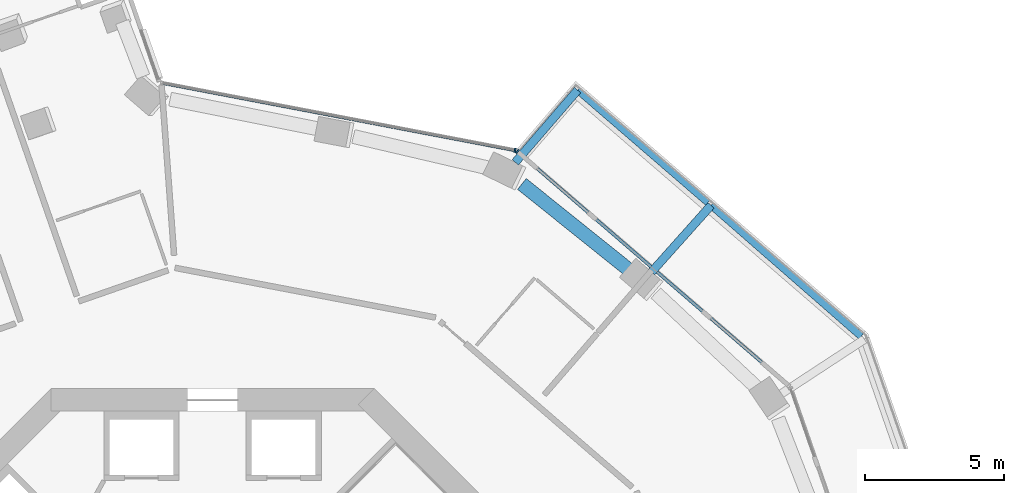
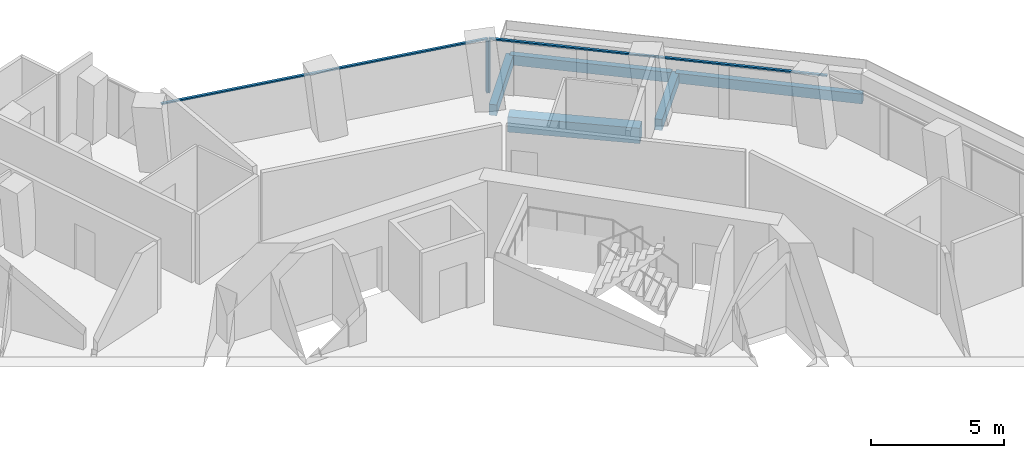
# One storey, part 10 of 23: 5 beams, 4 members, 2 elements without a shape of their own.
"""IFC4 building model written with IfcOpenShell, lengths in metres."""

from ifc_helpers import new_model, si_unit, direction, frame, origin, origin_2d, place, context, subcontext, project, spatial, rectangle, extrude, material, layer, layer_set, material_profile, profile_set, type_object, element, aggregate, save


model = new_model("IFC4")

# Units and contexts
model_context = context("Model", 3, precision=1e-05, world=origin(), true_north=direction((0.0, 1.0)))
body_context = subcontext(model_context, "Body", "Model", "MODEL_VIEW")
ifc_project = project(units=[si_unit("LENGTHUNIT", "METRE"), si_unit("AREAUNIT", "SQUARE_METRE"), si_unit("VOLUMEUNIT", "CUBIC_METRE"), si_unit("PLANEANGLEUNIT", "RADIAN"), si_unit("MASSUNIT", "GRAM", prefix="KILO")], contexts=[model_context])

# Site, building, storey
site_placement = place(None, origin())
site = spatial("IfcSite", under=ifc_project, at=site_placement, CompositionType="ELEMENT")
building_placement = place(site_placement, origin())
building = spatial("IfcBuilding", under=site, at=building_placement, Name="Verdalira Terraces Hotel", CompositionType="ELEMENT")
storey_placement = place(building_placement, frame((0.0, 0.0, 111.5)))
storey = spatial("IfcBuildingStorey", under=building, at=storey_placement, Name="L26", CompositionType="ELEMENT", Elevation=111.5)

# Beams
ifc_material_1 = material(Name="Concrete C40", Category="concrete")
ifc_material_profile_1 = material_profile(ifc_material_1, rectangle(XDim=0.300049, YDim=0.5, at=origin_2d()), Name="RC 300X500")
ifc_profile_set_1 = profile_set([ifc_material_profile_1], Name="Concrete C40")
beam_type_1 = type_object("IfcBeamType", Name="Balcony cantilever beam RC 300X500 C40", PredefinedType="BEAM", material=ifc_profile_set_1)
beam_1_placement = place(storey_placement, frame((15.746338, 18.189209, -0.560059), z_axis=(0.6660476, 0.74590924, 0.0), x_axis=(-0.74590924, 0.6660476, 0.0)))
element("IfcBeam", 1, at=beam_1_placement, inside=storey, type_object=beam_type_1, Name="Balcony cantilever beam R39-4", PredefinedType="BEAM", context=body_context, shape_type="SweptSolid", body=[
    extrude(rectangle(XDim=0.300049, YDim=0.5, at=origin_2d()), origin(), (0.0, 0.0, 1.0), 3.200684),
])
beam_2_placement = place(storey_placement, frame((10.857422, 22.119873, -0.560059), z_axis=(0.653445115, 0.756973898, 0.0), x_axis=(-0.756973898, 0.653445115, 0.0)))
element("IfcBeam", 2, at=beam_2_placement, inside=storey, type_object=beam_type_1, Name="Balcony cantilever beam R39-5", PredefinedType="BEAM", context=body_context, shape_type="SweptSolid", body=[
    extrude(rectangle(XDim=0.300049, YDim=0.5, at=origin_2d()), origin(), (0.0, 0.0, 1.0), 3.419434),
])
ifc_material_2 = material(Name="Concrete C40", Category="concrete")
ifc_material_profile_2 = material_profile(ifc_material_2, rectangle(XDim=0.25, YDim=0.449951, at=origin_2d()), Name="RC 250X450")
ifc_profile_set_2 = profile_set([ifc_material_profile_2], Name="Concrete C40")
beam_type_2 = type_object("IfcBeamType", Name="Balcony edge beam RC 250X450 C40", PredefinedType="BEAM", material=ifc_profile_set_2)
beam_3_placement = place(storey_placement, frame((23.260254, 15.875, -0.534912), z_axis=(-0.753107628, 0.657897333, 0.0), x_axis=(-0.657897333, -0.753107628, 0.0)))
element("IfcBeam", 3, at=beam_3_placement, inside=storey, type_object=beam_type_2, Name="Balcony edge beam R39-3", PredefinedType="BEAM", context=body_context, shape_type="SweptSolid", body=[
    extrude(rectangle(XDim=0.25, YDim=0.449951, at=origin_2d()), origin(), (0.0, 0.0, 1.0), 7.146484),
])
beam_4_placement = place(storey_placement, frame((17.764404, 20.674805, -0.534912), z_axis=(-0.756982176, 0.653435525, 0.0), x_axis=(-0.653435525, -0.756982176, 0.0)))
element("IfcBeam", 4, at=beam_4_placement, inside=storey, type_object=beam_type_2, Name="Balcony edge beam R39-4", PredefinedType="BEAM", context=body_context, shape_type="SweptSolid", body=[
    extrude(rectangle(XDim=0.25, YDim=0.449951, at=origin_2d()), origin(), (0.0, 0.0, 1.0), 6.172607),
])

# Curtain wall, member
ifc_material_3 = material(Name="Clear glass", Category="glass")
ifc_layer = layer(ifc_material_3, 0.14990234375)
ifc_layer_set = layer_set([ifc_layer], Name="CW1 curtain wall")
curtain_wall_type = type_object("IfcCurtainWallType", Name="CW1 curtain wall", PredefinedType="NOTDEFINED", material=ifc_layer_set)
curtain_wall_1_placement = place(storey_placement, origin())
curtain_wall_1 = element("IfcCurtainWall", 5, at=curtain_wall_1_placement, inside=storey, type_object=curtain_wall_type, Name="CW1 curtain wall L26 edge 40", PredefinedType="NOTDEFINED")
ifc_material_4 = material(Name="Terracotta frame", Category="masonry")
ifc_material_profile_3 = material_profile(ifc_material_4, rectangle(XDim=0.060059, YDim=0.149902, at=origin_2d()), Name="MU 60x150")
ifc_profile_set_3 = profile_set([ifc_material_profile_3], Name="Terracotta frame")
member_type_1 = type_object("IfcMemberType", Name="CW1 mullion 60x150", PredefinedType="MULLION", material=ifc_profile_set_3)
member_1_placement = place(storey_placement, frame((10.93457, 22.508057, 0.0), z_axis=(0.0, 0.0, 1.0), x_axis=(-0.756995056, 0.653420604, 0.0)))
member_1 = element("IfcMember", 6, at=member_1_placement, type_object=member_type_1, Name="CW1 mullion", PredefinedType="MULLION", context=body_context, shape_type="SweptSolid", body=[
    extrude(rectangle(XDim=0.060059, YDim=0.149902, at=origin_2d()), origin(), (0.0, 0.0, 1.0), 2.425049),
])

curtain_wall_2_placement = place(storey_placement, origin())
curtain_wall_2 = element("IfcCurtainWall", 7, at=curtain_wall_2_placement, inside=storey, type_object=curtain_wall_type, Name="CW1 curtain wall L26 edge 41", PredefinedType="NOTDEFINED")
member_2_placement = place(storey_placement, frame((10.847412, 22.550049, 0.0), z_axis=(0.0, 0.0, 1.0), x_axis=(-0.982287251, 0.187381315, 0.0)))
member_2 = element("IfcMember", 8, at=member_2_placement, type_object=member_type_1, Name="CW1 mullion", PredefinedType="MULLION", context=body_context, shape_type="SweptSolid", body=[
    extrude(rectangle(XDim=0.060059, YDim=0.149902, at=origin_2d()), origin(), (0.0, 0.0, 1.0), 2.425049),
])

# Member
ifc_material_5 = material(Name="Terracotta frame", Category="masonry")
ifc_material_profile_4 = material_profile(ifc_material_5, rectangle(XDim=0.110107, YDim=0.064941, at=origin_2d()), Name="TR 65x110")
ifc_profile_set_4 = profile_set([ifc_material_profile_4], Name="Terracotta frame")
member_type_2 = type_object("IfcMemberType", Name="CW1 transom 65x110", PredefinedType="USERDEFINED", material=ifc_profile_set_4)
member_3_placement = place(storey_placement, frame((20.691895, 14.085693, 2.45752), z_axis=(-0.756995067, 0.653420591, 0.0), x_axis=(-0.653420591, -0.756995067, 0.0)))
member_3 = element("IfcMember", 9, at=member_3_placement, type_object=member_type_2, Name="CW1 transom", ObjectType="TRANSOM", PredefinedType="USERDEFINED", context=body_context, shape_type="SweptSolid", body=[
    extrude(rectangle(XDim=0.110107, YDim=0.064941, at=origin_2d()), origin(), (0.0, 0.0, 1.0), 12.919434),
])

aggregate(curtain_wall_1, [member_1, member_3])

member_4_placement = place(storey_placement, frame((10.876953, 22.544434, 2.45752), z_axis=(-0.982286589, 0.187384782, 0.0), x_axis=(-0.187384782, -0.982286589, 0.0)))
member_4 = element("IfcMember", 10, at=member_4_placement, type_object=member_type_2, Name="CW1 transom", ObjectType="TRANSOM", PredefinedType="USERDEFINED", context=body_context, shape_type="SweptSolid", body=[
    extrude(rectangle(XDim=0.110107, YDim=0.064941, at=origin_2d()), origin(), (0.0, 0.0, 1.0), 12.959717),
])

aggregate(curtain_wall_2, [member_2, member_4])

# Beam
ifc_material_6 = material(Name="Concrete C70", Category="concrete")
ifc_material_profile_5 = material_profile(ifc_material_6, rectangle(XDim=0.5, YDim=0.699951, at=origin_2d()), Name="RC 500X700")
ifc_profile_set_5 = profile_set([ifc_material_profile_5], Name="Concrete C70")
beam_type_3 = type_object("IfcBeamType", Name="Spandrel beam RC 500X700 C70", PredefinedType="SPANDREL", material=ifc_profile_set_5)
beam_5_placement = place(storey_placement, frame((15.003418, 18.207275, -0.659912), z_axis=(-0.779931765, 0.625864555, 0.0), x_axis=(-0.625864555, -0.779931765, 0.0)))
element("IfcBeam", 11, at=beam_5_placement, inside=storey, type_object=beam_type_3, Name="Spandrel beam B27", PredefinedType="SPANDREL", context=body_context, shape_type="SweptSolid", body=[
    extrude(rectangle(XDim=0.5, YDim=0.699951, at=origin_2d()), origin(), (0.0, 0.0, 1.0), 5.012207),
])

save(model, "model.ifc")
